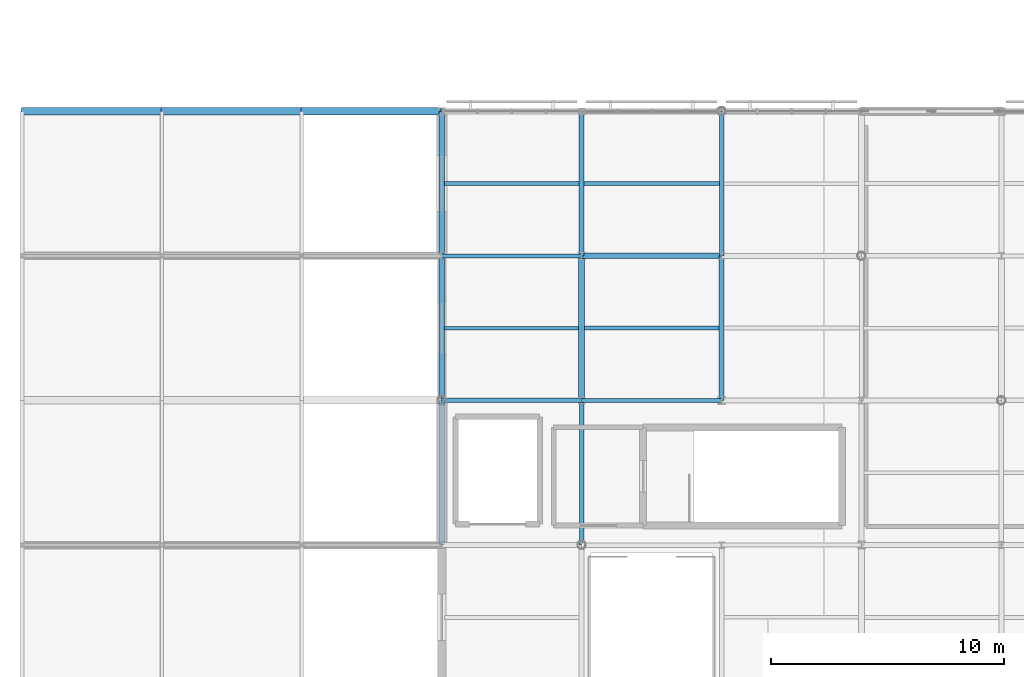
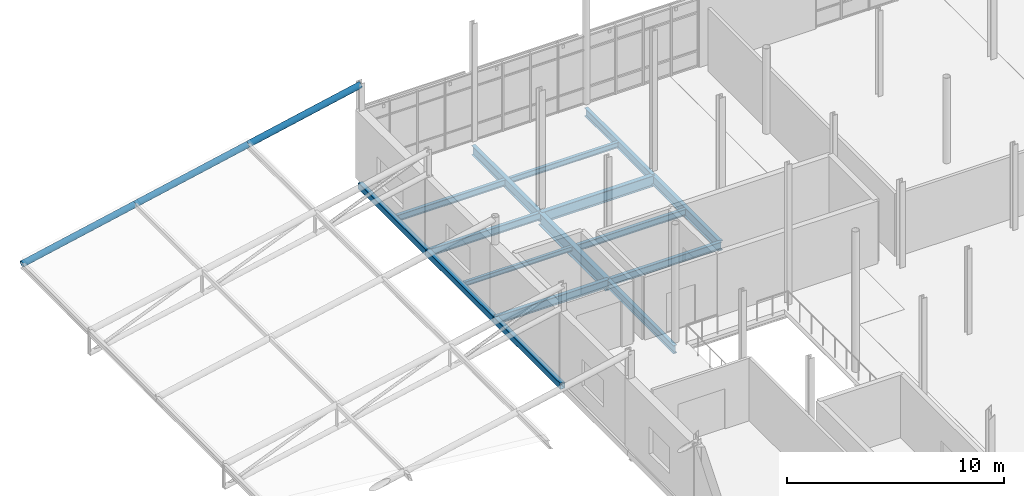
# One storey, part 29 of 84: 16 beams, 3 members.
"""IFC4 building model written with IfcOpenShell, lengths in metres."""

from ifc_helpers import new_model, si_unit, direction, frame, origin, origin_2d, place, context, subcontext, project, spatial, hollow_rectangle, hollow_circle, i_section, extrude, material, material_profile, profile_set, type_object, element, save


model = new_model("IFC4")

# Units and contexts
model_context = context("Model", 3, precision=1e-05, world=origin(), true_north=direction((0.0, 1.0)))
body_context = subcontext(model_context, "Body", "Model", "MODEL_VIEW")
ifc_project = project(units=[si_unit("LENGTHUNIT", "METRE"), si_unit("AREAUNIT", "SQUARE_METRE"), si_unit("VOLUMEUNIT", "CUBIC_METRE"), si_unit("PLANEANGLEUNIT", "RADIAN"), si_unit("MASSUNIT", "GRAM", prefix="KILO")], contexts=[model_context])

# Site, building, storey
site_placement = place(None, origin())
site = spatial("IfcSite", under=ifc_project, at=site_placement, CompositionType="ELEMENT")
building_placement = place(site_placement, origin())
building = spatial("IfcBuilding", under=site, at=building_placement, Name="Mirzam Square Science Centre", CompositionType="ELEMENT")
storey_placement = place(building_placement, frame((0.0, 0.0, 10.800048828125)))
storey = spatial("IfcBuildingStorey", under=building, at=storey_placement, Name="L02", CompositionType="ELEMENT", Elevation=10.800048828125)

# Beams
ifc_material = material(Name="Steel S355", Category="steel")
ifc_material_profile_1 = material_profile(ifc_material, i_section(OverallWidth=0.1787109375, OverallDepth=0.409423828125, WebThickness=0.0087890625, FlangeThickness=0.014404296875, FilletRadius=0.01025390625, at=origin_2d()), Name="406x178x67UB")
ifc_profile_set_1 = profile_set([ifc_material_profile_1], Name="Steel S355")
beam_type_1 = type_object("IfcBeamType", Name="BM-UB406", PredefinedType="BEAM", material=ifc_profile_set_1)
for number, where, z_axis, x_axis, name in (
    (1, (24.0, 68.199951171875, -0.46484375), (1.0, 0.0, 0.0), (0.0, 1.0, 0.0), "L02 girder X5-12"),
    (2, (18.0, 74.39990234375, -0.46484375), (1.0, 0.0, 0.0), (0.0, 1.0, 0.0), "L02 girder X4-13"),
):
    element("IfcBeam", number, at=place(storey_placement, frame(where, z_axis=z_axis, x_axis=x_axis)), inside=storey, type_object=beam_type_1, Name=name, PredefinedType="BEAM", context=body_context, shape_type="SweptSolid", body=[
        extrude(i_section(OverallWidth=0.1787109375, OverallDepth=0.409423828125, WebThickness=0.0087890625, FlangeThickness=0.014404296875, FilletRadius=0.01025390625, at=origin_2d()), origin(), (0.0, 0.0, 1.0), 6.0),
    ])
ifc_material_profile_2 = material_profile(ifc_material, i_section(OverallWidth=0.19140625, OverallDepth=0.4599609375, WebThickness=0.010009765625, FlangeThickness=0.01611328125, FilletRadius=0.01025390625, at=origin_2d()), Name="457x191x82UB")
ifc_profile_set_2 = profile_set([ifc_material_profile_2], Name="Steel S355")
beam_type_2 = type_object("IfcBeamType", Name="BM-UB457", PredefinedType="BEAM", material=ifc_profile_set_2)
beam_1_placement = place(storey_placement, frame((18.0, 68.199951171875, -0.489990234375), z_axis=(1.0, 0.0, 0.0), x_axis=(0.0, 1.0, 0.0)))
element("IfcBeam", 3, at=beam_1_placement, inside=storey, type_object=beam_type_2, Name="L02 girder X4-12", PredefinedType="BEAM", context=body_context, shape_type="SweptSolid", body=[
    extrude(i_section(OverallWidth=0.19140625, OverallDepth=0.4599609375, WebThickness=0.010009765625, FlangeThickness=0.01611328125, FilletRadius=0.01025390625, at=origin_2d()), origin(), (0.0, 0.0, 1.0), 6.0),
])
beam_2_placement = place(storey_placement, frame((24.0, 62.0, -0.489990234375), z_axis=(0.0, 1.0, 0.0), x_axis=(-1.0, 0.0, 0.0)))
element("IfcBeam", 4, at=beam_2_placement, inside=storey, type_object=beam_type_2, Name="L02 girder Y5-11", PredefinedType="BEAM", context=body_context, shape_type="SweptSolid", body=[
    extrude(i_section(OverallWidth=0.19140625, OverallDepth=0.4599609375, WebThickness=0.010009765625, FlangeThickness=0.01611328125, FilletRadius=0.01025390625, at=origin_2d()), origin(), (0.0, 0.0, 1.0), 6.199951171875),
])
beam_3_placement = place(storey_placement, frame((30.0, 74.39990234375, -0.489990234375), z_axis=(0.0, 1.0, 0.0), x_axis=(-1.0, 0.0, 0.0)))
element("IfcBeam", 5, at=beam_3_placement, inside=storey, type_object=beam_type_2, Name="L02 girder Y6-13", PredefinedType="BEAM", context=body_context, shape_type="SweptSolid", body=[
    extrude(i_section(OverallWidth=0.19140625, OverallDepth=0.4599609375, WebThickness=0.010009765625, FlangeThickness=0.01611328125, FilletRadius=0.01025390625, at=origin_2d()), origin(), (0.0, 0.0, 1.0), 6.2001953125),
])
ifc_material_profile_3 = material_profile(ifc_material, i_section(OverallWidth=0.2099609375, OverallDepth=0.53662109375, WebThickness=0.0107421875, FlangeThickness=0.017333984375, FilletRadius=0.0126953125, at=origin_2d()), Name="533x210x101UB")
ifc_profile_set_3 = profile_set([ifc_material_profile_3], Name="Steel S355")
beam_type_3 = type_object("IfcBeamType", Name="BM-UB533", PredefinedType="BEAM", material=ifc_profile_set_3)
beam_4_placement = place(storey_placement, frame((24.0, 74.39990234375, -0.528564453125), z_axis=(0.0, 1.0, 0.0), x_axis=(-1.0, 0.0, 0.0)))
element("IfcBeam", 6, at=beam_4_placement, inside=storey, type_object=beam_type_3, Name="L02 girder Y5-13", PredefinedType="BEAM", context=body_context, shape_type="SweptSolid", body=[
    extrude(i_section(OverallWidth=0.2099609375, OverallDepth=0.53662109375, WebThickness=0.0107421875, FlangeThickness=0.017333984375, FilletRadius=0.0126953125, at=origin_2d()), origin(), (0.0, 0.0, 1.0), 6.2001953125),
])
beam_5_placement = place(storey_placement, frame((30.0, 68.199951171875, -0.528564453125), z_axis=(0.0, 1.0, 0.0), x_axis=(-1.0, 0.0, 0.0)))
element("IfcBeam", 7, at=beam_5_placement, inside=storey, type_object=beam_type_3, Name="L02 girder Y6-12", PredefinedType="BEAM", context=body_context, shape_type="SweptSolid", body=[
    extrude(i_section(OverallWidth=0.2099609375, OverallDepth=0.53662109375, WebThickness=0.0107421875, FlangeThickness=0.017333984375, FilletRadius=0.0126953125, at=origin_2d()), origin(), (0.0, 0.0, 1.0), 6.199951171875),
])
ifc_material_profile_4 = material_profile(ifc_material, i_section(OverallWidth=0.22900390625, OverallDepth=0.6123046875, WebThickness=0.011962890625, FlangeThickness=0.01953125, FilletRadius=0.0126953125, at=origin_2d()), Name="610x229x125UB")
ifc_profile_set_4 = profile_set([ifc_material_profile_4], Name="Steel S355")
beam_type_4 = type_object("IfcBeamType", Name="BM-UB610", PredefinedType="BEAM", material=ifc_profile_set_4)
beam_6_placement = place(storey_placement, frame((24.0, 74.39990234375, -0.566162109375), z_axis=(1.0, 0.0, 0.0), x_axis=(0.0, 1.0, 0.0)))
element("IfcBeam", 8, at=beam_6_placement, inside=storey, type_object=beam_type_4, Name="L02 girder X5-13", PredefinedType="BEAM", context=body_context, shape_type="SweptSolid", body=[
    extrude(i_section(OverallWidth=0.22900390625, OverallDepth=0.6123046875, WebThickness=0.011962890625, FlangeThickness=0.01953125, FilletRadius=0.0126953125, at=origin_2d()), origin(), (0.0, 0.0, 1.0), 6.0),
])
ifc_material_profile_5 = material_profile(ifc_material, i_section(OverallWidth=0.25439453125, OverallDepth=0.6875, WebThickness=0.01318359375, FlangeThickness=0.02099609375, FilletRadius=0.01513671875, at=origin_2d()), Name="686x254x152UB")
ifc_profile_set_5 = profile_set([ifc_material_profile_5], Name="Steel S355")
beam_type_5 = type_object("IfcBeamType", Name="BM-UB686", PredefinedType="BEAM", material=ifc_profile_set_5)
beam_7_placement = place(storey_placement, frame((24.0, 68.199951171875, -0.603759765625), z_axis=(0.0, 1.0, 0.0), x_axis=(-1.0, 0.0, 0.0)))
element("IfcBeam", 9, at=beam_7_placement, inside=storey, type_object=beam_type_5, Name="L02 girder Y5-12", PredefinedType="BEAM", context=body_context, shape_type="SweptSolid", body=[
    extrude(i_section(OverallWidth=0.25439453125, OverallDepth=0.6875, WebThickness=0.01318359375, FlangeThickness=0.02099609375, FilletRadius=0.01513671875, at=origin_2d()), origin(), (0.0, 0.0, 1.0), 6.199951171875),
])

# Members
ifc_material_profile_6 = material_profile(ifc_material, hollow_circle(Radius=0.161865234375, WallThickness=0.012451171875, at=origin_2d()), Name="323.9x12.5CHS")
ifc_profile_set_6 = profile_set([ifc_material_profile_6], Name="Steel S355")
member_type = type_object("IfcMemberType", Name="CH-CHS324", PredefinedType="CHORD", material=ifc_profile_set_6)
for number, where, z_axis, x_axis, name in (
    (10, (0.0, 80.60009765625, 1.424560546875), (0.978653176229, 0.0, 0.205518759868), (0.0, 1.0, 0.0), "Wedge truss top chord Y14 bay 1"),
    (11, (6.0, 80.60009765625, 2.6845703125), (0.978661184912, 0.0, 0.205480619879), (0.0, 1.0, 0.0), "Wedge truss top chord Y14 bay 2"),
    (12, (12.0, 80.60009765625, 3.9443359375), (0.978653176229, 0.0, 0.205518759868), (0.0, 1.0, 0.0), "Wedge truss top chord Y14 bay 3"),
):
    element("IfcMember", number, at=place(storey_placement, frame(where, z_axis=z_axis, x_axis=x_axis)), inside=storey, type_object=member_type, Name=name, PredefinedType="CHORD", context=body_context, shape_type="SweptSolid", body=[
        extrude(hollow_circle(Radius=0.161865234375, WallThickness=0.012451171875, at=origin_2d()), origin(), (0.0, 0.0, 1.0), 6.130859375),
    ])

# Beams
ifc_material_profile_7 = material_profile(ifc_material, i_section(OverallWidth=0.146484375, OverallDepth=0.256103515625, WebThickness=0.00634765625, FlangeThickness=0.010986328125, FilletRadius=0.007568359375, at=origin_2d()), Name="254x146x37UB")
ifc_profile_set_7 = profile_set([ifc_material_profile_7], Name="Steel S355")
beam_type_6 = type_object("IfcBeamType", Name="JS-UB254", PredefinedType="JOIST", material=ifc_profile_set_7)
beam_8_placement = place(storey_placement, frame((18.125, 71.300048828125, -0.387939453125), z_axis=(1.0, 0.0, 0.0), x_axis=(0.0, 1.0, 0.0)))
element("IfcBeam", 13, at=beam_8_placement, inside=storey, type_object=beam_type_6, Name="L02 composite joist 4-12", PredefinedType="JOIST", context=body_context, shape_type="SweptSolid", body=[
    extrude(i_section(OverallWidth=0.146484375, OverallDepth=0.256103515625, WebThickness=0.00634765625, FlangeThickness=0.010986328125, FilletRadius=0.007568359375, at=origin_2d()), origin(), (0.0, 0.0, 1.0), 5.747802734375),
])
ifc_material_profile_8 = material_profile(ifc_material, i_section(OverallWidth=0.165771484375, OverallDepth=0.306640625, WebThickness=0.006591796875, FlangeThickness=0.01171875, FilletRadius=0.0087890625, at=origin_2d()), Name="305x165x46UB")
ifc_profile_set_8 = profile_set([ifc_material_profile_8], Name="Steel S355")
beam_type_7 = type_object("IfcBeamType", Name="JS-UB305", PredefinedType="JOIST", material=ifc_profile_set_8)
beam_9_placement = place(storey_placement, frame((24.10498046875, 77.5, -0.413330078125), z_axis=(1.0, 0.0, 0.0), x_axis=(0.0, 1.0, 0.0)))
element("IfcBeam", 14, at=beam_9_placement, inside=storey, type_object=beam_type_7, Name="L02 composite joist 5-13", PredefinedType="JOIST", context=body_context, shape_type="SweptSolid", body=[
    extrude(i_section(OverallWidth=0.165771484375, OverallDepth=0.306640625, WebThickness=0.006591796875, FlangeThickness=0.01171875, FilletRadius=0.0087890625, at=origin_2d()), origin(), (0.0, 0.0, 1.0), 5.79931640625),
])
ifc_material_profile_9 = material_profile(ifc_material, i_section(OverallWidth=0.172119140625, OverallDepth=0.35791015625, WebThickness=0.008056640625, FlangeThickness=0.012939453125, FilletRadius=0.01025390625, at=origin_2d()), Name="356x171x57UB")
ifc_profile_set_9 = profile_set([ifc_material_profile_9], Name="Steel S355")
beam_type_8 = type_object("IfcBeamType", Name="JS-UB356", PredefinedType="JOIST", material=ifc_profile_set_9)
beam_10_placement = place(storey_placement, frame((18.125, 77.5, -0.43896484375), z_axis=(1.0, 0.0, 0.0), x_axis=(0.0, 1.0, 0.0)))
element("IfcBeam", 15, at=beam_10_placement, inside=storey, type_object=beam_type_8, Name="L02 composite joist 4-13", PredefinedType="JOIST", context=body_context, shape_type="SweptSolid", body=[
    extrude(i_section(OverallWidth=0.172119140625, OverallDepth=0.35791015625, WebThickness=0.008056640625, FlangeThickness=0.012939453125, FilletRadius=0.01025390625, at=origin_2d()), origin(), (0.0, 0.0, 1.0), 5.77001953125),
])
beam_11_placement = place(storey_placement, frame((24.127197265625, 71.300048828125, -0.43896484375), z_axis=(1.0, 0.0, 0.0), x_axis=(0.0, 1.0, 0.0)))
element("IfcBeam", 16, at=beam_11_placement, inside=storey, type_object=beam_type_8, Name="L02 composite joist 5-12", PredefinedType="JOIST", context=body_context, shape_type="SweptSolid", body=[
    extrude(i_section(OverallWidth=0.172119140625, OverallDepth=0.35791015625, WebThickness=0.008056640625, FlangeThickness=0.012939453125, FilletRadius=0.01025390625, at=origin_2d()), origin(), (0.0, 0.0, 1.0), 5.767822265625),
])
ifc_material_profile_10 = material_profile(ifc_material, hollow_rectangle(XDim=0.25, YDim=0.35009765625, WallThickness=0.012451171875, InnerFilletRadius=0.012451171875, OuterFilletRadius=0.02490234375, at=origin_2d()), Name="350x250x12.5RHS")
ifc_profile_set_10 = profile_set([ifc_material_profile_10], Name="Steel S355")
beam_type_9 = type_object("IfcBeamType", Name="SP-RHS350", PredefinedType="SPANDREL", material=ifc_profile_set_10)
for number, where, z_axis, x_axis, name in (
    (17, (18.0, 62.0, -0.43505859375), (0.0, 1.0, 0.0), (-1.0, 0.0, 0.0), "L02 girder Y4-11"),
    (18, (18.0, 68.199951171875, -0.43505859375), (0.0, 1.0, 0.0), (-1.0, 0.0, 0.0), "L02 girder Y4-12"),
):
    element("IfcBeam", number, at=place(storey_placement, frame(where, z_axis=z_axis, x_axis=x_axis)), inside=storey, type_object=beam_type_9, Name=name, PredefinedType="SPANDREL", context=body_context, shape_type="SweptSolid", body=[
        extrude(hollow_rectangle(XDim=0.25, YDim=0.35009765625, WallThickness=0.012451171875, InnerFilletRadius=0.012451171875, OuterFilletRadius=0.02490234375, at=origin_2d()), origin(), (0.0, 0.0, 1.0), 6.199951171875),
    ])
beam_12_placement = place(storey_placement, frame((18.0, 74.39990234375, -0.43505859375), z_axis=(0.0, 1.0, 0.0), x_axis=(-1.0, 0.0, 0.0)))
element("IfcBeam", 19, at=beam_12_placement, inside=storey, type_object=beam_type_9, Name="L02 girder Y4-13", PredefinedType="SPANDREL", context=body_context, shape_type="SweptSolid", body=[
    extrude(hollow_rectangle(XDim=0.25, YDim=0.35009765625, WallThickness=0.012451171875, InnerFilletRadius=0.012451171875, OuterFilletRadius=0.02490234375, at=origin_2d()), origin(), (0.0, 0.0, 1.0), 6.2001953125),
])

save(model, "model.ifc")
